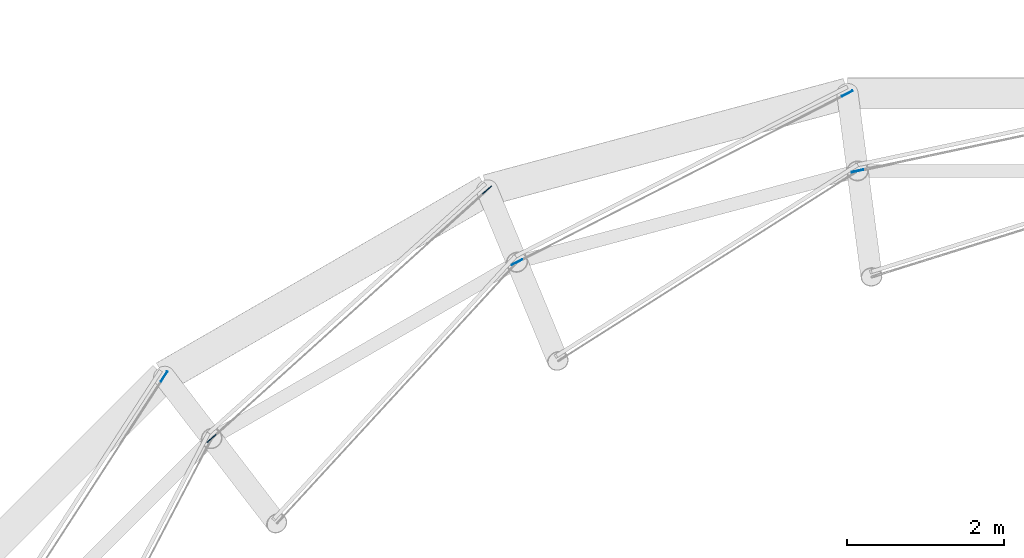
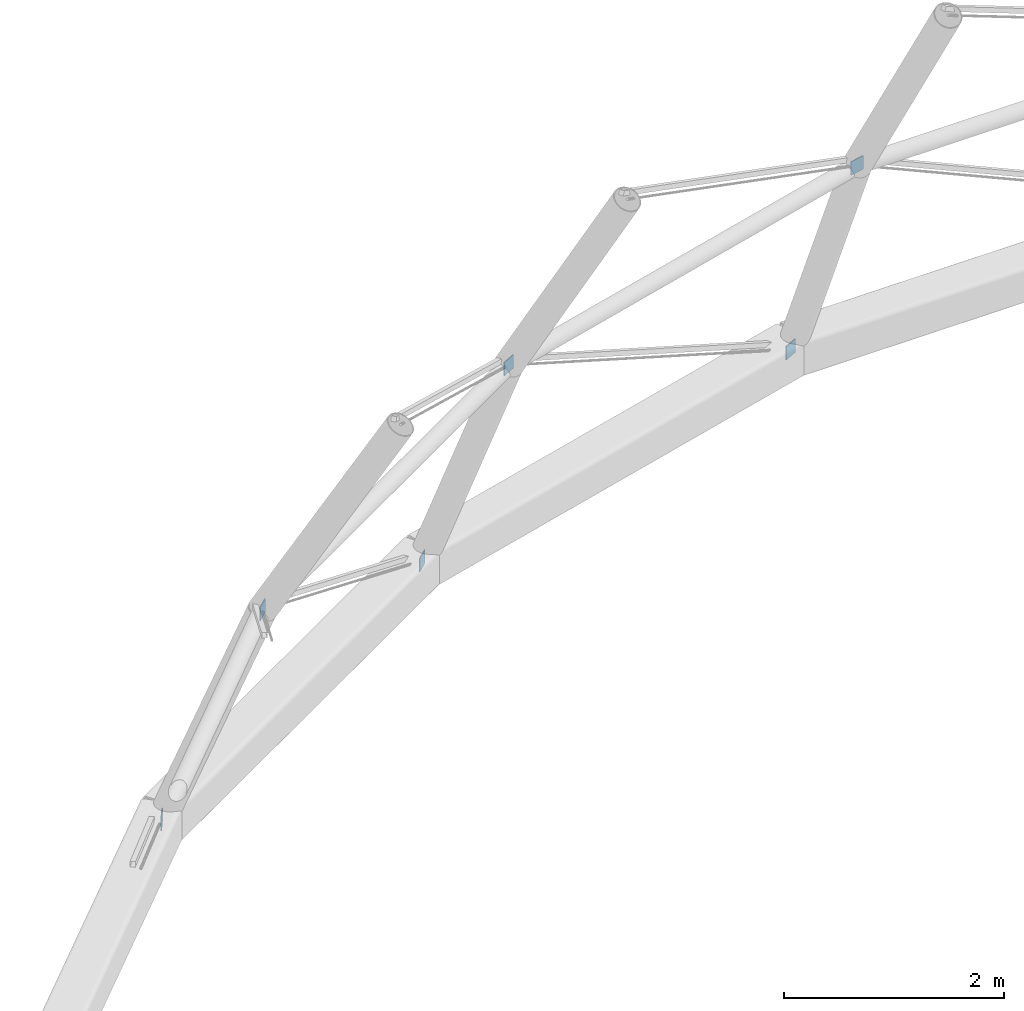
# One storey, part 38 of 59: 6 discrete accessories.
"""IFC4 building model written with IfcOpenShell, lengths in metres."""

from ifc_helpers import new_model, si_unit, direction, frame, origin, origin_2d, place, context, subcontext, project, spatial, rectangle, extrude, material, type_object, element, save


model = new_model("IFC4")

# Units and contexts
model_context = context("Model", 3, precision=1e-05, world=origin(), true_north=direction((0.0, 1.0)))
body_context = subcontext(model_context, "Body", "Model", "MODEL_VIEW")
ifc_project = project(units=[si_unit("LENGTHUNIT", "METRE"), si_unit("AREAUNIT", "SQUARE_METRE"), si_unit("VOLUMEUNIT", "CUBIC_METRE"), si_unit("PLANEANGLEUNIT", "RADIAN"), si_unit("MASSUNIT", "GRAM", prefix="KILO")], contexts=[model_context])

# Site, building, storey
site_placement = place(None, origin())
site = spatial("IfcSite", under=ifc_project, at=site_placement, CompositionType="ELEMENT")
building_placement = place(site_placement, origin())
building = spatial("IfcBuilding", under=site, at=building_placement, Name="Hortulan Conservatory and Botanical Research Centre", CompositionType="ELEMENT")
storey_placement = place(building_placement, frame((0.0, 0.0, 10.5)))
storey = spatial("IfcBuildingStorey", under=building, at=storey_placement, Name="L02", CompositionType="ELEMENT", Elevation=10.5)

# Discrete accessories
ifc_material = material(Name="Steel Grade 300 plate (AS/NZS 3678, 280 MPa minimum yield)", Category="steel")
discrete_accessory_type = type_object("IfcDiscreteAccessoryType", Name="End Plate 150x10", PredefinedType="BRACKET", material=ifc_material)
for number, where, z_axis, x_axis, name in (
    (1, (42.94775390625, 32.403564453125, -0.074951171875), (0.0, 0.0, 1.0), (0.543950886399, 0.839117055711, 0.0), "Dome rod end plate"),
    (2, (43.5517578125, 31.6162109375, 2.51904296875), (0.0, 0.0, 1.0), (0.742607373549, 0.669727025549, 0.0), "Dome rod end plate"),
    (3, (47.05224609375, 34.773193359375, -0.074951171875), (0.0, 0.0, 1.0), (0.742607373549, 0.669727025549, 0.0), "Dome rod end plate"),
    (4, (47.431884765625, 33.8564453125, 2.51904296875), (0.0, 0.0, 1.0), (0.890633813888, 0.454721243795, 0.0), "Dome rod end plate"),
    (5, (51.63037109375, 36.0, -0.074951171875), (0.0, 0.0, 1.0), (0.890633813888, 0.454721243795, 0.0), "Dome rod end plate"),
    (6, (51.759765625, 35.01611328125, 2.51904296875), (0.0, 0.0, 1.0), (0.977976720708, 0.208713999897, 0.0), "Dome rod end plate"),
):
    element("IfcDiscreteAccessory", number, at=place(storey_placement, frame(where, z_axis=z_axis, x_axis=x_axis)), inside=storey, type_object=discrete_accessory_type, Name=name, PredefinedType="BRACKET", context=body_context, shape_type="SweptSolid", body=[
        extrude(rectangle(XDim=0.14990234375, YDim=0.010009765625, at=origin_2d()), origin(), (0.0, 0.0, 1.0), 0.14990234375),
    ])

save(model, "model.ifc")
